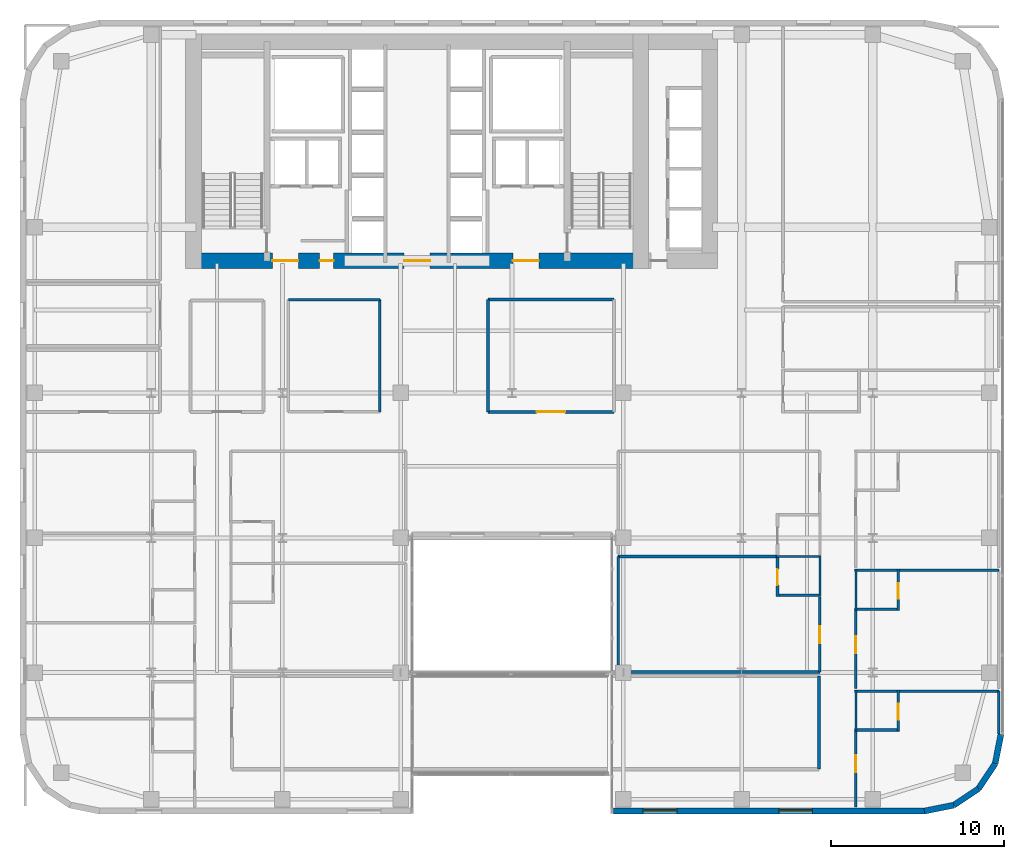
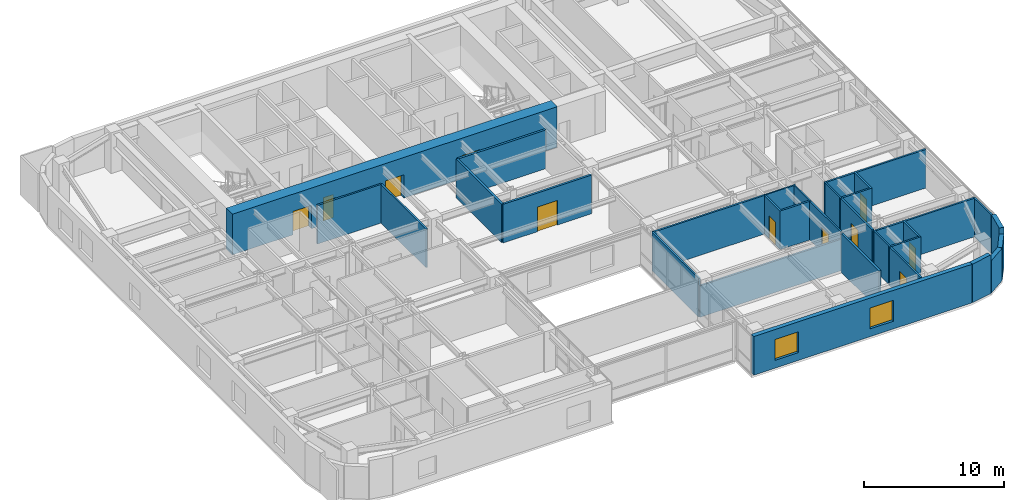
# One storey, part 20 of 25: 33 walls, 11 doors, 2 windows, 13 openings.
"""IFC4 building model written with IfcOpenShell, lengths in metres."""

from ifc_helpers import new_model, si_unit, direction, frame, frame_2d, origin, place, context, subcontext, project, spatial, rectangle, extrude, source, transform, mapped, material, layer, layer_set, type_object, type_shapes, element, fill, save


model = new_model("IFC4")

# Units and contexts
model_context = context("Model", 3, precision=1e-05, world=origin(), true_north=direction((0.0, 1.0)))
body_context = subcontext(model_context, "Body", "Model", "MODEL_VIEW")
ifc_project = project(units=[si_unit("LENGTHUNIT", "METRE"), si_unit("AREAUNIT", "SQUARE_METRE"), si_unit("VOLUMEUNIT", "CUBIC_METRE"), si_unit("PLANEANGLEUNIT", "RADIAN"), si_unit("MASSUNIT", "GRAM", prefix="KILO")], contexts=[model_context])

# Site, building, storey
site_placement = place(None, origin())
site = spatial("IfcSite", under=ifc_project, at=site_placement, CompositionType="ELEMENT")
building_placement = place(site_placement, origin())
building = spatial("IfcBuilding", under=site, at=building_placement, Name="Tolvann Quenvar Hotel", CompositionType="ELEMENT")
storey_placement = place(building_placement, frame((0.0, 0.0, 78.14990234375)))
storey = spatial("IfcBuildingStorey", under=building, at=storey_placement, Name="L19", CompositionType="ELEMENT", Elevation=78.14990234375)

# Wall, openings, doors
ifc_material_1 = material(Name="Concrete S80 (80 MPa)", Category="concrete")
ifc_layer_1 = layer(ifc_material_1, 0.89990234375)
ifc_layer_set_1 = layer_set([ifc_layer_1], Name="Concrete S80 (80 MPa)")
wall_type_1 = type_object("IfcWallType", Name="WALL_CORE_900", PredefinedType="SHEAR", material=ifc_layer_set_1)
wall_1_placement = place(storey_placement, frame((9.60009765625, 32.050048828125, 0.0), z_axis=(0.0, 0.0, 1.0), x_axis=(1.0, 0.0, 0.0)))
wall_1 = element("IfcWall", 1, at=wall_1_placement, inside=storey, type_object=wall_type_1, Name="Rear Core S Shear Wall (L19)", PredefinedType="SHEAR", context=body_context, shape_type="SweptSolid", body=[
    extrude(rectangle(XDim=26.7998046875, YDim=0.89990234375, at=frame_2d((13.39990234375, 0.0))), origin(), (0.0, 0.0, 1.0), 3.550048828125),
])
opening_1_placement = place(wall_1_placement, frame((6.52001953125, 0.0, 0.0), z_axis=(0.0, 0.0, 1.0), x_axis=(-1.0, 0.0, 0.0)))
opening_1 = element("IfcOpeningElement", 2, at=opening_1_placement, cuts=wall_1, Name="Opening FD-60D", PredefinedType="OPENING", context=body_context, shape_type="SweptSolid", body=[
    extrude(rectangle(XDim=1.5, YDim=2.0400390625, at=frame_2d((0.75, 1.02001953125))), frame((0.0, 0.4599609375, 0.0), z_axis=(0.0, -1.0, 0.0), x_axis=(1.0, 0.0, 0.0)), (0.0, 0.0, 1.0), 0.919921875),
])
opening_2_placement = place(wall_1_placement, frame((14.14990234375, 0.0, 0.0), z_axis=(0.0, 0.0, 1.0), x_axis=(-1.0, 0.0, 0.0)))
opening_2 = element("IfcOpeningElement", 3, at=opening_2_placement, cuts=wall_1, Name="Opening FD-60D", PredefinedType="OPENING", context=body_context, shape_type="SweptSolid", body=[
    extrude(rectangle(XDim=1.5, YDim=2.0400390625, at=frame_2d((0.75, 1.02001953125))), frame((0.0, 0.4599609375, 0.0), z_axis=(0.0, -1.0, 0.0), x_axis=(1.0, 0.0, 0.0)), (0.0, 0.0, 1.0), 0.919921875),
])
opening_3_placement = place(wall_1_placement, frame((20.449951171875, 0.0, 0.0), z_axis=(0.0, 0.0, 1.0), x_axis=(-1.0, 0.0, 0.0)))
opening_3 = element("IfcOpeningElement", 4, at=opening_3_placement, cuts=wall_1, Name="Opening FD-60D", PredefinedType="OPENING", context=body_context, shape_type="SweptSolid", body=[
    extrude(rectangle(XDim=1.5, YDim=2.0400390625, at=frame_2d((0.75, 1.02001953125))), frame((0.0, 0.4599609375, 0.0), z_axis=(0.0, -1.0, 0.0), x_axis=(1.0, 0.0, 0.0)), (0.0, 0.0, 1.0), 0.919921875),
])
opening_4_placement = place(wall_1_placement, frame((8.570068359375, 0.0, 0.0), z_axis=(0.0, 0.0, 1.0), x_axis=(-1.0, 0.0, 0.0)))
opening_4 = element("IfcOpeningElement", 5, at=opening_4_placement, cuts=wall_1, Name="Opening HD-02", PredefinedType="OPENING", context=body_context, shape_type="SweptSolid", body=[
    extrude(rectangle(XDim=0.820068359375, YDim=2.010009765625, at=frame_2d((0.41015625, 1.0048828125))), frame((0.0, 0.4599609375, 0.0), z_axis=(0.0, -1.0, 0.0), x_axis=(1.0, 0.0, 0.0)), (0.0, 0.0, 1.0), 0.919921875),
])
ifc_material_2 = material(Name="Solid-core American oak acoustic fire door leaf in steel frame", Category="steel")
door_type_1 = type_object("IfcDoorType", Name="DOOR_FIRE_LOBBY_1500", OperationType="NOTDEFINED", PredefinedType="DOOR", material=ifc_material_2)
shared_shape_1 = source(origin(), body_context, "Body", "SweptSolid", [
    extrude(rectangle(XDim=1.5, YDim=2.0400390625, at=frame_2d((0.75, 1.02001953125))), frame((0.0, 0.02490234375, 0.0), z_axis=(0.0, -1.0, 0.0), x_axis=(1.0, 0.0, 0.0)), (0.0, 0.0, 1.0), 0.050048828125),
])
type_shapes(door_type_1, [shared_shape_1])
door_1_placement = place(opening_1_placement, origin())
door_1 = element("IfcDoor", 6, at=door_1_placement, inside=storey, type_object=door_type_1, Name="Core Lobby Fire Door FFW (L19)", OperationType="DOUBLE_DOOR_SINGLE_SWING", OverallHeight=2.0400390625, OverallWidth=1.5, PredefinedType="DOOR", context=body_context, shape_type="MappedRepresentation", body=[
    mapped(shared_shape_1, transform((0.0, 0.0, 0.0), x_axis=(1.0, 0.0, 0.0), y_axis=(0.0, 1.0, 0.0), z_axis=(0.0, 0.0, 1.0), scale=1.0)),
])
fill(opening_1, door_1)
door_2_placement = place(opening_2_placement, origin())
door_2 = element("IfcDoor", 7, at=door_2_placement, inside=storey, type_object=door_type_1, Name="Core Lobby Fire Door CLOB (L19)", OperationType="DOUBLE_DOOR_SINGLE_SWING", OverallHeight=2.0400390625, OverallWidth=1.5, PredefinedType="DOOR", context=body_context, shape_type="MappedRepresentation", body=[
    mapped(shared_shape_1, transform((0.0, 0.0, 0.0), x_axis=(1.0, 0.0, 0.0), y_axis=(0.0, 1.0, 0.0), z_axis=(0.0, 0.0, 1.0), scale=1.0)),
])
fill(opening_2, door_2)
door_3_placement = place(opening_3_placement, origin())
door_3 = element("IfcDoor", 8, at=door_3_placement, inside=storey, type_object=door_type_1, Name="Core Lobby Fire Door FFE (L19)", OperationType="DOUBLE_DOOR_SINGLE_SWING", OverallHeight=2.0400390625, OverallWidth=1.5, PredefinedType="DOOR", context=body_context, shape_type="MappedRepresentation", body=[
    mapped(shared_shape_1, transform((0.0, 0.0, 0.0), x_axis=(1.0, 0.0, 0.0), y_axis=(0.0, 1.0, 0.0), z_axis=(0.0, 0.0, 1.0), scale=1.0)),
])
fill(opening_3, door_3)
ifc_material_3 = material(Name="Pressed galvanised steel fire-rated door set", Category="steel")
door_type_2 = type_object("IfcDoorType", Name="DOOR_STORE_820", OperationType="NOTDEFINED", PredefinedType="DOOR", material=ifc_material_3)
shared_shape_2 = source(origin(), body_context, "Body", "SweptSolid", [
    extrude(rectangle(XDim=0.820068359375, YDim=2.010009765625, at=frame_2d((0.41015625, 1.0048828125))), frame((0.0, 0.02490234375, 0.0), z_axis=(0.0, -1.0, 0.0), x_axis=(1.0, 0.0, 0.0)), (0.0, 0.0, 1.0), 0.050048828125),
])
type_shapes(door_type_2, [shared_shape_2])
door_4_placement = place(opening_4_placement, origin())
door_4 = element("IfcDoor", 9, at=door_4_placement, inside=storey, type_object=door_type_2, Name="Core Linen Store Fire Door (L19)", OperationType="SINGLE_SWING_LEFT", OverallHeight=2.010009765625, OverallWidth=0.820068359375, PredefinedType="DOOR", context=body_context, shape_type="MappedRepresentation", body=[
    mapped(shared_shape_2, transform((0.0, 0.0, 0.0), x_axis=(1.0, 0.0, 0.0), y_axis=(0.0, 1.0, 0.0), z_axis=(0.0, 0.0, 1.0), scale=1.0)),
])
fill(opening_4, door_4)

# Wall, openings, windows
ifc_material_4 = material(Name="Kiln-fired red and buff architectural clay brickwork and terracotta masonry", Category="masonry")
ifc_layer_2 = layer(ifc_material_4, 0.35009765625)
ifc_layer_set_2 = layer_set([ifc_layer_2], Name="Kiln-fired red and buff architectural clay brickwork and terracotta masonry")
wall_type_2 = type_object("IfcWallType", Name="WALL_EXT_BRICK_350", PredefinedType="SOLIDWALL", material=ifc_layer_set_2)
wall_2_placement = place(storey_placement, frame((34.375, 0.175048828125, 0.0), z_axis=(0.0, 0.0, 1.0), x_axis=(1.0, 0.0, 0.0)))
wall_2 = element("IfcWall", 10, at=wall_2_placement, inside=storey, type_object=wall_type_2, Name="Exterior Chicago Brick Wall L19-E08", PredefinedType="SOLIDWALL", context=body_context, shape_type="SweptSolid", body=[
    extrude(rectangle(XDim=18.0078125, YDim=0.35009765625, at=frame_2d((9.00390625, 0.0))), origin(), (0.0, 0.0, 1.0), 3.3701171875),
])
opening_5_placement = place(wall_2_placement, frame((1.72607421875, 0.0, 0.679931640625)))
opening_5 = element("IfcOpeningElement", 11, at=opening_5_placement, cuts=wall_2, Name="Opening W-10", PredefinedType="OPENING", context=body_context, shape_type="SweptSolid", body=[
    extrude(rectangle(XDim=1.949951171875, YDim=1.820068359375, at=frame_2d((0.97509765625, 0.91015625))), frame((0.0, 0.18505859375, 0.0), z_axis=(0.0, -1.0, 0.0), x_axis=(1.0, 0.0, 0.0)), (0.0, 0.0, 1.0), 0.3701171875),
])
opening_6_placement = place(wall_2_placement, frame((9.580078125, 0.0, 0.679931640625)))
opening_6 = element("IfcOpeningElement", 12, at=opening_6_placement, cuts=wall_2, Name="Opening W-10", PredefinedType="OPENING", context=body_context, shape_type="SweptSolid", body=[
    extrude(rectangle(XDim=1.949951171875, YDim=1.820068359375, at=frame_2d((0.97509765625, 0.91015625))), frame((0.0, 0.18505859375, 0.0), z_axis=(0.0, -1.0, 0.0), x_axis=(1.0, 0.0, 0.0)), (0.0, 0.0, 1.0), 0.3701171875),
])
ifc_material_5 = material(Name="Thermally broken bronze-anodised aluminium frame with double low-E glazing", Category="aluminium")
window_type = type_object("IfcWindowType", Name="WIN_CLB_1950x1850", PartitioningType="DOUBLE_PANEL_VERTICAL", PredefinedType="WINDOW", material=ifc_material_5)
shared_shape_3 = source(origin(), body_context, "Body", "SweptSolid", [
    extrude(rectangle(XDim=1.949951171875, YDim=1.820068359375, at=frame_2d((0.97509765625, 0.91015625))), frame((0.0, 0.090087890625, 0.0), z_axis=(0.0, -1.0, 0.0), x_axis=(1.0, 0.0, 0.0)), (0.0, 0.0, 1.0), 0.06005859375),
])
type_shapes(window_type, [shared_shape_3])
window_1_placement = place(opening_5_placement, origin())
window_1 = element("IfcWindow", 13, at=window_1_placement, inside=storey, type_object=window_type, Name="Chicago Window W-10 (EW-L19-E08-W01)", OverallHeight=1.820068359375, OverallWidth=1.949951171875, PartitioningType="DOUBLE_PANEL_VERTICAL", PredefinedType="WINDOW", context=body_context, shape_type="MappedRepresentation", body=[
    mapped(shared_shape_3, transform((0.0, 0.0, 0.0), x_axis=(1.0, 0.0, 0.0), y_axis=(0.0, 1.0, 0.0), z_axis=(0.0, 0.0, 1.0), scale=1.0)),
])
fill(opening_5, window_1)
window_2_placement = place(opening_6_placement, origin())
window_2 = element("IfcWindow", 14, at=window_2_placement, inside=storey, type_object=window_type, Name="Chicago Window W-10 (EW-L19-E08-W02)", OverallHeight=1.820068359375, OverallWidth=1.949951171875, PartitioningType="DOUBLE_PANEL_VERTICAL", PredefinedType="WINDOW", context=body_context, shape_type="MappedRepresentation", body=[
    mapped(shared_shape_3, transform((0.0, 0.0, 0.0), x_axis=(1.0, 0.0, 0.0), y_axis=(0.0, 1.0, 0.0), z_axis=(0.0, 0.0, 1.0), scale=1.0)),
])
fill(opening_6, window_2)

# Walls
wall_3_placement = place(storey_placement, frame((52.3828125, 0.175048828125, 0.0), z_axis=(0.0, 0.0, 1.0), x_axis=(0.980800971659, 0.195011420161, 0.0)))
element("IfcWall", 15, at=wall_3_placement, inside=storey, type_object=wall_type_2, Name="Exterior Chicago Brick Wall L19-E09", PredefinedType="SOLIDWALL", context=body_context, shape_type="SweptSolid", body=[
    extrude(rectangle(XDim=1.74267578125, YDim=0.35009765625, at=frame_2d((0.871337890625, 0.0))), origin(), (0.0, 0.0, 1.0), 3.3701171875),
])
for number, where, z_axis, x_axis, name in (
    (16, (54.092041015625, 0.514892578125, 0.0), (0.0, 0.0, 1.0), (0.831483840845, 0.55554893791, 0.0), "Exterior Chicago Brick Wall L19-E10"),
    (17, (55.526611328125, 1.473388671875, 0.0), (0.0, 0.0, 1.0), (0.55554893791, 0.831483840845, 0.0), "Exterior Chicago Brick Wall L19-E11"),
):
    element("IfcWall", number, at=place(storey_placement, frame(where, z_axis=z_axis, x_axis=x_axis)), inside=storey, type_object=wall_type_2, Name=name, PredefinedType="SOLIDWALL", context=body_context, shape_type="SweptSolid", body=[
        extrude(rectangle(XDim=1.725341796875, YDim=0.35009765625, at=frame_2d((0.86279296875, 0.0))), origin(), (0.0, 0.0, 1.0), 2.83203125),
    ])
wall_4_placement = place(storey_placement, frame((56.485107421875, 2.907958984375, 0.0), z_axis=(0.0, 0.0, 1.0), x_axis=(0.195011420161, 0.980800971659, 0.0)))
element("IfcWall", 18, at=wall_4_placement, inside=storey, type_object=wall_type_2, Name="Exterior Chicago Brick Wall L19-E12", PredefinedType="SOLIDWALL", context=body_context, shape_type="SweptSolid", body=[
    extrude(rectangle(XDim=1.74267578125, YDim=0.35009765625, at=frame_2d((0.871337890625, 0.0))), origin(), (0.0, 0.0, 1.0), 3.3701171875),
])

# Wall, opening, door
ifc_material_6 = material(Name="Acoustic twin-stud fire-rated gypsum plasterboard partition")
ifc_layer_3 = layer(ifc_material_6, 0.179931640625)
ifc_layer_set_3 = layer_set([ifc_layer_3], Name="Acoustic twin-stud fire-rated gypsum plasterboard partition")
wall_type_3 = type_object("IfcWallType", Name="WALL_PART_ACOUSTIC_180", PredefinedType="PARTITIONING", material=ifc_layer_set_3)
wall_5_placement = place(storey_placement, frame((27.10009765625, 23.300048828125, 0.0), z_axis=(0.0, 0.0, 1.0), x_axis=(1.0, 0.0, 0.0)))
wall_5 = element("IfcWall", 19, at=wall_5_placement, inside=storey, type_object=wall_type_3, Name="Interior Partition PT-SPC-L19-MSP-C-S", PredefinedType="PARTITIONING", context=body_context, shape_type="SweptSolid", body=[
    extrude(rectangle(XDim=7.2998046875, YDim=0.179931640625, at=frame_2d((3.64990234375, 0.0))), origin(), (0.0, 0.0, 1.0), 3.3701171875),
])
opening_7_placement = place(wall_5_placement, frame((2.824951171875, 0.0, 0.0)))
opening_7 = element("IfcOpeningElement", 20, at=opening_7_placement, cuts=wall_5, Name="Opening AD-01", PredefinedType="OPENING", context=body_context, shape_type="SweptSolid", body=[
    extrude(rectangle(XDim=1.64990234375, YDim=2.14990234375, at=frame_2d((0.824951171875, 1.074951171875))), frame((0.0, 0.10009765625, 0.0), z_axis=(0.0, -1.0, 0.0), x_axis=(1.0, 0.0, 0.0)), (0.0, 0.0, 1.0), 0.199951171875),
])
door_type_3 = type_object("IfcDoorType", Name="DOOR_SALON_1650", OperationType="NOTDEFINED", PredefinedType="DOOR", material=ifc_material_2)
shared_shape_4 = source(origin(), body_context, "Body", "SweptSolid", [
    extrude(rectangle(XDim=1.64990234375, YDim=2.14990234375, at=frame_2d((0.824951171875, 1.074951171875))), frame((0.0, 0.02490234375, 0.0), z_axis=(0.0, -1.0, 0.0), x_axis=(1.0, 0.0, 0.0)), (0.0, 0.0, 1.0), 0.050048828125),
])
type_shapes(door_type_3, [shared_shape_4])
door_5_placement = place(opening_7_placement, origin())
door_5 = element("IfcDoor", 21, at=door_5_placement, inside=storey, type_object=door_type_3, Name="Interior Door DOOR-SPC-L19-MSP-C", OperationType="DOUBLE_DOOR_SINGLE_SWING", OverallHeight=2.14990234375, OverallWidth=1.64990234375, PredefinedType="DOOR", context=body_context, shape_type="MappedRepresentation", body=[
    mapped(shared_shape_4, transform((0.0, 0.0, 0.0), x_axis=(1.0, 0.0, 0.0), y_axis=(0.0, 1.0, 0.0), z_axis=(0.0, 0.0, 1.0), scale=1.0)),
])
fill(opening_7, door_5)

# Walls
wall_6_placement = place(storey_placement, frame((27.10009765625, 29.800048828125, 0.0), z_axis=(0.0, 0.0, 1.0), x_axis=(1.0, 0.0, 0.0)))
element("IfcWall", 22, at=wall_6_placement, inside=storey, type_object=wall_type_3, Name="Interior Partition PT-SPC-L19-MSP-C-N", PredefinedType="PARTITIONING", context=body_context, shape_type="SweptSolid", body=[
    extrude(rectangle(XDim=7.2998046875, YDim=0.179931640625, at=frame_2d((3.64990234375, 0.0))), origin(), (0.0, 0.0, 1.0), 3.3701171875),
])
wall_7_placement = place(storey_placement, frame((27.10009765625, 23.300048828125, 0.0), z_axis=(0.0, 0.0, 1.0), x_axis=(0.0, 1.0, 0.0)))
element("IfcWall", 23, at=wall_7_placement, inside=storey, type_object=wall_type_3, Name="Interior Partition PT-SPC-L19-MSP-C-W", PredefinedType="PARTITIONING", context=body_context, shape_type="SweptSolid", body=[
    extrude(rectangle(XDim=6.5, YDim=0.179931640625, at=frame_2d((3.25, 0.0))), origin(), (0.0, 0.0, 1.0), 3.3701171875),
])
wall_8_placement = place(storey_placement, frame((46.280029296875, 2.60009765625, 0.0), z_axis=(0.0, 0.0, 1.0), x_axis=(0.0, 1.0, 0.0)))
element("IfcWall", 24, at=wall_8_placement, inside=storey, type_object=wall_type_3, Name="Interior Partition PT-SPC-L19-BRG-E", PredefinedType="PARTITIONING", context=body_context, shape_type="SweptSolid", body=[
    extrude(rectangle(XDim=5.39990234375, YDim=0.179931640625, at=frame_2d((2.699951171875, 0.0))), origin(), (0.0, 0.0, 1.0), 3.3701171875),
])
ifc_material_7 = material(Name="Moisture-resistant acoustic plumbing wall assembly")
ifc_layer_4 = layer(ifc_material_7, 0.1201171875)
ifc_layer_set_4 = layer_set([ifc_layer_4], Name="Moisture-resistant acoustic plumbing wall assembly")
wall_type_4 = type_object("IfcWallType", Name="WALL_PART_BATH_120", PredefinedType="PLUMBINGWALL", material=ifc_layer_set_4)
wall_9_placement = place(storey_placement, frame((43.81005859375, 14.919921875, 0.0), z_axis=(0.0, 0.0, 1.0), x_axis=(1.0, 0.0, 0.0)))
element("IfcWall", 25, at=wall_9_placement, inside=storey, type_object=wall_type_4, Name="Non-Rated Plumbing Partition PT-SPC-L19-ENS-EI01-N", PredefinedType="PLUMBINGWALL", context=body_context, shape_type="SweptSolid", body=[
    extrude(rectangle(XDim=2.58984375, YDim=0.1201171875, at=frame_2d((1.294921875, 0.0))), origin(), (0.0, 0.0, 1.0), 3.3701171875),
])
for number, where, z_axis, x_axis, name in (
    (26, (46.330078125, 12.60009765625, 0.0), (0.0, 0.0, 1.0), (0.0, 1.0, 0.0), "Non-Rated Plumbing Partition PT-SPC-L19-ENS-EI01-E"),
    (27, (48.419921875, 4.800048828125, 0.0), (0.0, 0.0, 1.0), (0.0, 1.0, 0.0), "Non-Rated Plumbing Partition PT-SPC-L19-ENS-EO01-W"),
    (28, (48.419921875, 11.800048828125, 0.0), (0.0, 0.0, 1.0), (0.0, 1.0, 0.0), "Non-Rated Plumbing Partition PT-SPC-L19-ENS-EO02-W"),
):
    element("IfcWall", number, at=place(storey_placement, frame(where, z_axis=z_axis, x_axis=x_axis)), inside=storey, type_object=wall_type_4, Name=name, PredefinedType="PLUMBINGWALL", context=body_context, shape_type="SweptSolid", body=[
        extrude(rectangle(XDim=2.389892578125, YDim=0.1201171875, at=frame_2d((1.19482421875, 0.0))), origin(), (0.0, 0.0, 1.0), 3.3701171875),
    ])

# Wall, opening, door
ifc_layer_5 = layer(ifc_material_6, 0.14990234375)
ifc_layer_set_5 = layer_set([ifc_layer_5], Name="Acoustic twin-stud fire-rated gypsum plasterboard partition")
wall_type_5 = type_object("IfcWallType", Name="WALL_PART_SUITE_150", PredefinedType="PARTITIONING", material=ifc_layer_set_5)
wall_10_placement = place(storey_placement, frame((43.8798828125, 12.60009765625, 0.0), z_axis=(0.0, 0.0, 1.0), x_axis=(0.0, 1.0, 0.0)))
wall_10 = element("IfcWall", 29, at=wall_10_placement, inside=storey, type_object=wall_type_5, Name="Interior Partition PT-SPC-L19-ENS-EI01-ENT", PredefinedType="PARTITIONING", context=body_context, shape_type="SweptSolid", body=[
    extrude(rectangle(XDim=2.389892578125, YDim=0.14990234375, at=frame_2d((1.19482421875, 0.0))), origin(), (0.0, 0.0, 1.0), 3.3701171875),
])
opening_8_placement = place(wall_10_placement, frame((0.6650390625, 0.0, 0.0)))
opening_8 = element("IfcOpeningElement", 30, at=opening_8_placement, cuts=wall_10, Name="Opening WD-01", PredefinedType="OPENING", context=body_context, shape_type="SweptSolid", body=[
    extrude(rectangle(XDim=0.919921875, YDim=2.010009765625, at=frame_2d((0.4599609375, 1.0048828125))), frame((0.0, 0.0849609375, 0.0), z_axis=(0.0, -1.0, 0.0), x_axis=(1.0, 0.0, 0.0)), (0.0, 0.0, 1.0), 0.169921875),
])
door_type_4 = type_object("IfcDoorType", Name="DOOR_WC_920", OperationType="NOTDEFINED", PredefinedType="DOOR", material=ifc_material_2)
shared_shape_5 = source(origin(), body_context, "Body", "SweptSolid", [
    extrude(rectangle(XDim=0.919921875, YDim=2.010009765625, at=frame_2d((0.4599609375, 1.0048828125))), frame((0.0, 0.02490234375, 0.0), z_axis=(0.0, -1.0, 0.0), x_axis=(1.0, 0.0, 0.0)), (0.0, 0.0, 1.0), 0.050048828125),
])
type_shapes(door_type_4, [shared_shape_5])
door_6_placement = place(opening_8_placement, origin())
door_6 = element("IfcDoor", 31, at=door_6_placement, inside=storey, type_object=door_type_4, Name="Interior Door DOOR-SPC-L19-ENS-EI01", OperationType="SINGLE_SWING_RIGHT", OverallHeight=2.010009765625, OverallWidth=0.919921875, PredefinedType="DOOR", context=body_context, shape_type="MappedRepresentation", body=[
    mapped(shared_shape_5, transform((0.0, 0.0, 0.0), x_axis=(1.0, 0.0, 0.0), y_axis=(0.0, 1.0, 0.0), z_axis=(0.0, 0.0, 1.0), scale=1.0)),
])
fill(opening_8, door_6)

# Wall
wall_11_placement = place(storey_placement, frame((43.81005859375, 12.669921875, 0.0), z_axis=(0.0, 0.0, 1.0), x_axis=(1.0, 0.0, 0.0)))
element("IfcWall", 32, at=wall_11_placement, inside=storey, type_object=wall_type_5, Name="Interior Partition PT-SPC-L19-ENS-EI01-S", PredefinedType="PARTITIONING", context=body_context, shape_type="SweptSolid", body=[
    extrude(rectangle(XDim=2.58984375, YDim=0.14990234375, at=frame_2d((1.294921875, 0.0))), origin(), (0.0, 0.0, 1.0), 3.3701171875),
])

# Wall, opening, door
wall_12_placement = place(storey_placement, frame((50.8701171875, 4.800048828125, 0.0), z_axis=(0.0, 0.0, 1.0), x_axis=(0.0, 1.0, 0.0)))
wall_12 = element("IfcWall", 33, at=wall_12_placement, inside=storey, type_object=wall_type_5, Name="Interior Partition PT-SPC-L19-ENS-EO01-ENT", PredefinedType="PARTITIONING", context=body_context, shape_type="SweptSolid", body=[
    extrude(rectangle(XDim=2.389892578125, YDim=0.14990234375, at=frame_2d((1.19482421875, 0.0))), origin(), (0.0, 0.0, 1.0), 3.3701171875),
])
opening_9_placement = place(wall_12_placement, frame((0.6650390625, 0.0, 0.0)))
opening_9 = element("IfcOpeningElement", 34, at=opening_9_placement, cuts=wall_12, Name="Opening WD-01", PredefinedType="OPENING", context=body_context, shape_type="SweptSolid", body=[
    extrude(rectangle(XDim=0.919921875, YDim=2.010009765625, at=frame_2d((0.4599609375, 1.0048828125))), frame((0.0, 0.0849609375, 0.0), z_axis=(0.0, -1.0, 0.0), x_axis=(1.0, 0.0, 0.0)), (0.0, 0.0, 1.0), 0.169921875),
])
door_7_placement = place(opening_9_placement, origin())
door_7 = element("IfcDoor", 35, at=door_7_placement, inside=storey, type_object=door_type_4, Name="Interior Door DOOR-SPC-L19-ENS-EO01", OperationType="SINGLE_SWING_RIGHT", OverallHeight=2.010009765625, OverallWidth=0.919921875, PredefinedType="DOOR", context=body_context, shape_type="MappedRepresentation", body=[
    mapped(shared_shape_5, transform((0.0, 0.0, 0.0), x_axis=(1.0, 0.0, 0.0), y_axis=(0.0, 1.0, 0.0), z_axis=(0.0, 0.0, 1.0), scale=1.0)),
])
fill(opening_9, door_7)

# Walls
for number, where, z_axis, x_axis, name in (
    (36, (48.35009765625, 4.8701171875, 0.0), (0.0, 0.0, 1.0), (1.0, 0.0, 0.0), "Interior Partition PT-SPC-L19-ENS-EO01-S"),
    (37, (48.35009765625, 7.1201171875, 0.0), (0.0, 0.0, 1.0), (1.0, 0.0, 0.0), "Interior Partition PT-SPC-L19-ENS-EO01-N"),
):
    element("IfcWall", number, at=place(storey_placement, frame(where, z_axis=z_axis, x_axis=x_axis)), inside=storey, type_object=wall_type_5, Name=name, PredefinedType="PARTITIONING", context=body_context, shape_type="SweptSolid", body=[
        extrude(rectangle(XDim=2.58984375, YDim=0.14990234375, at=frame_2d((1.294921875, 0.0))), origin(), (0.0, 0.0, 1.0), 3.3701171875),
    ])

# Wall, opening, door
wall_13_placement = place(storey_placement, frame((50.8701171875, 11.800048828125, 0.0), z_axis=(0.0, 0.0, 1.0), x_axis=(0.0, 1.0, 0.0)))
wall_13 = element("IfcWall", 38, at=wall_13_placement, inside=storey, type_object=wall_type_5, Name="Interior Partition PT-SPC-L19-ENS-EO02-ENT", PredefinedType="PARTITIONING", context=body_context, shape_type="SweptSolid", body=[
    extrude(rectangle(XDim=2.389892578125, YDim=0.14990234375, at=frame_2d((1.19482421875, 0.0))), origin(), (0.0, 0.0, 1.0), 3.3701171875),
])
opening_10_placement = place(wall_13_placement, frame((0.6650390625, 0.0, 0.0)))
opening_10 = element("IfcOpeningElement", 39, at=opening_10_placement, cuts=wall_13, Name="Opening WD-01", PredefinedType="OPENING", context=body_context, shape_type="SweptSolid", body=[
    extrude(rectangle(XDim=0.919921875, YDim=2.010009765625, at=frame_2d((0.4599609375, 1.0048828125))), frame((0.0, 0.0849609375, 0.0), z_axis=(0.0, -1.0, 0.0), x_axis=(1.0, 0.0, 0.0)), (0.0, 0.0, 1.0), 0.169921875),
])
door_8_placement = place(opening_10_placement, origin())
door_8 = element("IfcDoor", 40, at=door_8_placement, inside=storey, type_object=door_type_4, Name="Interior Door DOOR-SPC-L19-ENS-EO02", OperationType="SINGLE_SWING_LEFT", OverallHeight=2.010009765625, OverallWidth=0.919921875, PredefinedType="DOOR", context=body_context, shape_type="MappedRepresentation", body=[
    mapped(shared_shape_5, transform((0.0, 0.0, 0.0), x_axis=(1.0, 0.0, 0.0), y_axis=(0.0, 1.0, 0.0), z_axis=(0.0, 0.0, 1.0), scale=1.0)),
])
fill(opening_10, door_8)

# Walls
for number, where, z_axis, x_axis, name in (
    (41, (48.35009765625, 11.8701171875, 0.0), (0.0, 0.0, 1.0), (1.0, 0.0, 0.0), "Interior Partition PT-SPC-L19-ENS-EO02-S"),
    (42, (48.35009765625, 14.1201171875, 0.0), (0.0, 0.0, 1.0), (1.0, 0.0, 0.0), "Interior Partition PT-SPC-L19-ENS-EO02-N"),
):
    element("IfcWall", number, at=place(storey_placement, frame(where, z_axis=z_axis, x_axis=x_axis)), inside=storey, type_object=wall_type_5, Name=name, PredefinedType="PARTITIONING", context=body_context, shape_type="SweptSolid", body=[
        extrude(rectangle(XDim=2.58984375, YDim=0.14990234375, at=frame_2d((1.294921875, 0.0))), origin(), (0.0, 0.0, 1.0), 3.3701171875),
    ])

# Wall, opening, door
wall_14_placement = place(storey_placement, frame((46.330078125, 8.22998046875, 0.0), z_axis=(0.0, 0.0, 1.0), x_axis=(0.0, 1.0, 0.0)))
wall_14 = element("IfcWall", 43, at=wall_14_placement, inside=storey, type_object=wall_type_5, Name="Interior Partition PT-SPC-L19-RM-EI01-ENT", PredefinedType="PARTITIONING", context=body_context, shape_type="SweptSolid", body=[
    extrude(rectangle(XDim=4.360107421875, YDim=0.14990234375, at=frame_2d((2.18017578125, 0.0))), origin(), (0.0, 0.0, 1.0), 3.3701171875),
])
opening_11_placement = place(wall_14_placement, frame((1.669921875, 0.0, 0.0)))
opening_11 = element("IfcOpeningElement", 44, at=opening_11_placement, cuts=wall_14, Name="Opening SD-01", PredefinedType="OPENING", context=body_context, shape_type="SweptSolid", body=[
    extrude(rectangle(XDim=0.97998046875, YDim=2.1201171875, at=frame_2d((0.489990234375, 1.06005859375))), frame((0.0, 0.0849609375, 0.0), z_axis=(0.0, -1.0, 0.0), x_axis=(1.0, 0.0, 0.0)), (0.0, 0.0, 1.0), 0.169921875),
])
door_type_5 = type_object("IfcDoorType", Name="DOOR_SUITE_980", OperationType="NOTDEFINED", PredefinedType="DOOR", material=ifc_material_2)
shared_shape_6 = source(origin(), body_context, "Body", "SweptSolid", [
    extrude(rectangle(XDim=0.97998046875, YDim=2.1201171875, at=frame_2d((0.489990234375, 1.06005859375))), frame((0.0, 0.02490234375, 0.0), z_axis=(0.0, -1.0, 0.0), x_axis=(1.0, 0.0, 0.0)), (0.0, 0.0, 1.0), 0.050048828125),
])
type_shapes(door_type_5, [shared_shape_6])
door_9_placement = place(opening_11_placement, origin())
door_9 = element("IfcDoor", 45, at=door_9_placement, inside=storey, type_object=door_type_5, Name="Interior Door DOOR-SPC-L19-RM-EI01", OperationType="SINGLE_SWING_RIGHT", OverallHeight=2.1201171875, OverallWidth=0.97998046875, PredefinedType="DOOR", context=body_context, shape_type="MappedRepresentation", body=[
    mapped(shared_shape_6, transform((0.0, 0.0, 0.0), x_axis=(1.0, 0.0, 0.0), y_axis=(0.0, 1.0, 0.0), z_axis=(0.0, 0.0, 1.0), scale=1.0)),
])
fill(opening_11, door_9)

# Walls
wall_15_placement = place(storey_placement, frame((34.64990234375, 8.22998046875, 0.0), z_axis=(0.0, 0.0, 1.0), x_axis=(1.0, 0.0, 0.0)))
element("IfcWall", 46, at=wall_15_placement, inside=storey, type_object=wall_type_5, Name="Interior Partition PT-SPC-L19-RM-EI01-E1", PredefinedType="PARTITIONING", context=body_context, shape_type="SweptSolid", body=[
    extrude(rectangle(XDim=11.68017578125, YDim=0.14990234375, at=frame_2d((5.840087890625, 0.0))), origin(), (0.0, 0.0, 1.0), 2.748046875),
])
wall_16_placement = place(storey_placement, frame((34.64990234375, 14.919921875, 0.0), z_axis=(0.0, 0.0, 1.0), x_axis=(1.0, 0.0, 0.0)))
element("IfcWall", 47, at=wall_16_placement, inside=storey, type_object=wall_type_5, Name="Interior Partition PT-SPC-L19-RM-EI01-E5", PredefinedType="PARTITIONING", context=body_context, shape_type="SweptSolid", body=[
    extrude(rectangle(XDim=9.210205078125, YDim=0.14990234375, at=frame_2d((4.60498046875, 0.0))), origin(), (0.0, 0.0, 1.0), 3.3701171875),
])
wall_17_placement = place(storey_placement, frame((34.64990234375, 8.22998046875, 0.0), z_axis=(0.0, 0.0, 1.0), x_axis=(0.0, 1.0, 0.0)))
element("IfcWall", 48, at=wall_17_placement, inside=storey, type_object=wall_type_5, Name="Interior Partition PT-SPC-L19-RM-EI01-E6", PredefinedType="PARTITIONING", context=body_context, shape_type="SweptSolid", body=[
    extrude(rectangle(XDim=6.68994140625, YDim=0.14990234375, at=frame_2d((3.344970703125, 0.0))), origin(), (0.0, 0.0, 1.0), 3.3701171875),
])

# Wall, opening, door
wall_18_placement = place(storey_placement, frame((48.419921875, 0.405029296875, 0.0), z_axis=(0.0, 0.0, 1.0), x_axis=(0.0, 1.0, 0.0)))
wall_18 = element("IfcWall", 49, at=wall_18_placement, inside=storey, type_object=wall_type_5, Name="Interior Partition PT-SPC-L19-RM-EO01-ENT", PredefinedType="PARTITIONING", context=body_context, shape_type="SweptSolid", body=[
    extrude(rectangle(XDim=4.385009765625, YDim=0.14990234375, at=frame_2d((2.1923828125, 0.0))), origin(), (0.0, 0.0, 1.0), 3.3701171875),
])
opening_12_placement = place(wall_18_placement, frame((2.010009765625, 0.0, 0.0)))
opening_12 = element("IfcOpeningElement", 50, at=opening_12_placement, cuts=wall_18, Name="Opening SD-01", PredefinedType="OPENING", context=body_context, shape_type="SweptSolid", body=[
    extrude(rectangle(XDim=0.97998046875, YDim=2.1201171875, at=frame_2d((0.489990234375, 1.06005859375))), frame((0.0, 0.0849609375, 0.0), z_axis=(0.0, -1.0, 0.0), x_axis=(1.0, 0.0, 0.0)), (0.0, 0.0, 1.0), 0.169921875),
])
door_10_placement = place(opening_12_placement, origin())
door_10 = element("IfcDoor", 51, at=door_10_placement, inside=storey, type_object=door_type_5, Name="Interior Door DOOR-SPC-L19-RM-EO01", OperationType="SINGLE_SWING_RIGHT", OverallHeight=2.1201171875, OverallWidth=0.97998046875, PredefinedType="DOOR", context=body_context, shape_type="MappedRepresentation", body=[
    mapped(shared_shape_6, transform((0.0, 0.0, 0.0), x_axis=(1.0, 0.0, 0.0), y_axis=(0.0, 1.0, 0.0), z_axis=(0.0, 0.0, 1.0), scale=1.0)),
])
fill(opening_12, door_10)

# Walls
wall_19_placement = place(storey_placement, frame((56.699951171875, 4.64208984375, 0.0), z_axis=(0.0, 0.0, 1.0), x_axis=(0.0, 1.0, 0.0)))
element("IfcWall", 52, at=wall_19_placement, inside=storey, type_object=wall_type_5, Name="Interior Partition PT-SPC-L19-RM-EO01-E2", PredefinedType="PARTITIONING", context=body_context, shape_type="SweptSolid", body=[
    extrude(rectangle(XDim=2.47802734375, YDim=0.14990234375, at=frame_2d((1.239013671875, 0.0))), origin(), (0.0, 0.0, 1.0), 3.3701171875),
])
wall_20_placement = place(storey_placement, frame((50.889892578125, 7.1201171875, 0.0), z_axis=(0.0, 0.0, 1.0), x_axis=(1.0, 0.0, 0.0)))
element("IfcWall", 53, at=wall_20_placement, inside=storey, type_object=wall_type_5, Name="Interior Partition PT-SPC-L19-RM-EO01-E3", PredefinedType="PARTITIONING", context=body_context, shape_type="SweptSolid", body=[
    extrude(rectangle(XDim=5.81005859375, YDim=0.14990234375, at=frame_2d((2.905029296875, 0.0))), origin(), (0.0, 0.0, 1.0), 3.3701171875),
])

# Wall, opening, door
wall_21_placement = place(storey_placement, frame((48.419921875, 7.280029296875, 0.0), z_axis=(0.0, 0.0, 1.0), x_axis=(0.0, 1.0, 0.0)))
wall_21 = element("IfcWall", 54, at=wall_21_placement, inside=storey, type_object=wall_type_5, Name="Interior Partition PT-SPC-L19-RM-EO02-ENT", PredefinedType="PARTITIONING", context=body_context, shape_type="SweptSolid", body=[
    extrude(rectangle(XDim=4.510009765625, YDim=0.14990234375, at=frame_2d((2.2548828125, 0.0))), origin(), (0.0, 0.0, 1.0), 3.3701171875),
])
opening_13_placement = place(wall_21_placement, frame((2.044921875, 0.0, 0.0)))
opening_13 = element("IfcOpeningElement", 55, at=opening_13_placement, cuts=wall_21, Name="Opening SD-01", PredefinedType="OPENING", context=body_context, shape_type="SweptSolid", body=[
    extrude(rectangle(XDim=0.97998046875, YDim=2.1201171875, at=frame_2d((0.489990234375, 1.06005859375))), frame((0.0, 0.0849609375, 0.0), z_axis=(0.0, -1.0, 0.0), x_axis=(1.0, 0.0, 0.0)), (0.0, 0.0, 1.0), 0.169921875),
])
door_11_placement = place(opening_13_placement, origin())
door_11 = element("IfcDoor", 56, at=door_11_placement, inside=storey, type_object=door_type_5, Name="Interior Door DOOR-SPC-L19-RM-EO02", OperationType="SINGLE_SWING_LEFT", OverallHeight=2.1201171875, OverallWidth=0.97998046875, PredefinedType="DOOR", context=body_context, shape_type="MappedRepresentation", body=[
    mapped(shared_shape_6, transform((0.0, 0.0, 0.0), x_axis=(1.0, 0.0, 0.0), y_axis=(0.0, 1.0, 0.0), z_axis=(0.0, 0.0, 1.0), scale=1.0)),
])
fill(opening_13, door_11)

# Walls
wall_22_placement = place(storey_placement, frame((50.889892578125, 14.1201171875, 0.0), z_axis=(0.0, 0.0, 1.0), x_axis=(1.0, 0.0, 0.0)))
element("IfcWall", 57, at=wall_22_placement, inside=storey, type_object=wall_type_5, Name="Interior Partition PT-SPC-L19-RM-EO02-E3", PredefinedType="PARTITIONING", context=body_context, shape_type="SweptSolid", body=[
    extrude(rectangle(XDim=5.81005859375, YDim=0.14990234375, at=frame_2d((2.905029296875, 0.0))), origin(), (0.0, 0.0, 1.0), 3.3701171875),
])
wall_23_placement = place(storey_placement, frame((15.550048828125, 29.800048828125, 0.0), z_axis=(0.0, 0.0, 1.0), x_axis=(1.0, 0.0, 0.0)))
element("IfcWall", 58, at=wall_23_placement, inside=storey, type_object=wall_type_5, Name="Interior Partition PT-SPC-L19-MSP-N-N", PredefinedType="PARTITIONING", context=body_context, shape_type="SweptSolid", body=[
    extrude(rectangle(XDim=5.300048828125, YDim=0.14990234375, at=frame_2d((2.64990234375, 0.0))), origin(), (0.0, 0.0, 1.0), 3.3701171875),
])
wall_24_placement = place(storey_placement, frame((20.85009765625, 23.300048828125, 0.0), z_axis=(0.0, 0.0, 1.0), x_axis=(0.0, 1.0, 0.0)))
element("IfcWall", 59, at=wall_24_placement, inside=storey, type_object=wall_type_5, Name="Interior Partition PT-SPC-L19-MSP-N-E", PredefinedType="PARTITIONING", context=body_context, shape_type="SweptSolid", body=[
    extrude(rectangle(XDim=6.5, YDim=0.14990234375, at=frame_2d((3.25, 0.0))), origin(), (0.0, 0.0, 1.0), 3.3701171875),
])

save(model, "model.ifc")
